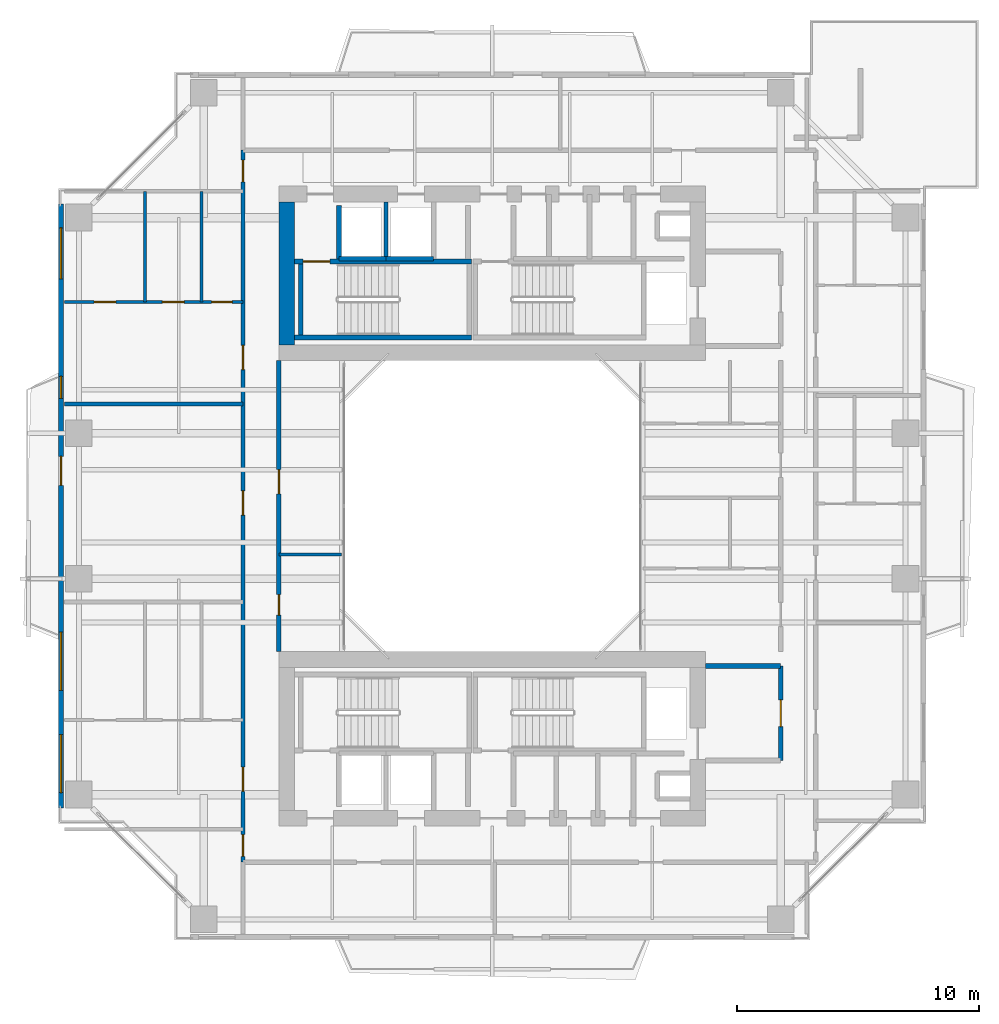
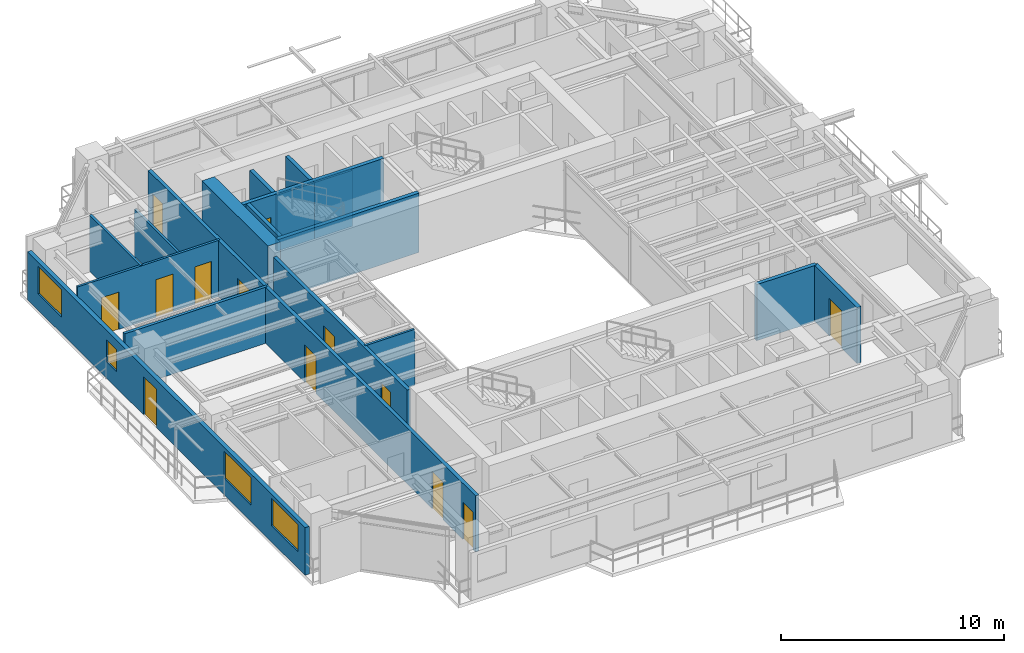
# One storey, part 11 of 17: 18 walls, 13 doors, 4 windows, 17 openings.
"""IFC4 building model written with IfcOpenShell, lengths in metres."""

from ifc_helpers import new_model, si_unit, direction, frame, frame_2d, origin, place, context, subcontext, project, spatial, rectangle, extrude, source, transform, mapped, material, layer, layer_set, type_object, element, fill, save


model = new_model("IFC4")

# Units and contexts
model_context = context("Model", 3, precision=1e-05, world=origin(), true_north=direction((0.0, 1.0)))
body_context = subcontext(model_context, "Body", "Model", "MODEL_VIEW")
ifc_project = project(units=[si_unit("LENGTHUNIT", "METRE"), si_unit("AREAUNIT", "SQUARE_METRE"), si_unit("VOLUMEUNIT", "CUBIC_METRE"), si_unit("PLANEANGLEUNIT", "RADIAN"), si_unit("MASSUNIT", "GRAM", prefix="KILO"), si_unit("THERMODYNAMICTEMPERATUREUNIT", "KELVIN"), si_unit("POWERUNIT", "WATT")], contexts=[model_context])

# Site, building, storey
site_placement = place(None, origin())
site = spatial("IfcSite", under=ifc_project, at=site_placement, CompositionType="ELEMENT")
building_placement = place(site_placement, origin())
building = spatial("IfcBuilding", under=site, at=building_placement, Name="Qiaomeng Ring Towers", CompositionType="ELEMENT")
storey_placement = place(building_placement, frame((0.0, 0.0, 123.0)))
storey = spatial("IfcBuildingStorey", under=building, at=storey_placement, Name="L35", CompositionType="ELEMENT", Elevation=123.0)

# Wall, openings, windows, door
ifc_material_1 = material(Name="Precast concrete C40", Category="concrete")
ifc_layer_1 = layer(ifc_material_1, 0.219970703125, Name="Precast concrete C40")
ifc_layer_set_1 = layer_set([ifc_layer_1], Name="Precast concrete C40")
wall_type_1 = type_object("IfcWallType", Name="ARC-WL-EW2", PredefinedType="STANDARD", material=ifc_layer_set_1)
wall_1_placement = place(storey_placement, frame((1.2099609375, 10.550048828125, 0.0), z_axis=(0.0, 0.0, 1.0), x_axis=(0.0, 1.0, 0.0)))
wall_1 = element("IfcWall", 1, at=wall_1_placement, inside=storey, type_object=wall_type_1, Name="L35 Tower 1 W Exterior Wall", PredefinedType="STANDARD", context=body_context, shape_type="SweptSolid", body=[
    extrude(rectangle(XDim=24.89990234375, YDim=0.219970703125, at=frame_2d((12.449951171875, 0.0))), origin(), (0.0, 0.0, 1.0), 2.610107421875),
])
opening_1_placement = place(wall_1_placement, frame((13.300048828125, 0.0, 0.0)))
opening_1 = element("IfcOpeningElement", 2, at=opening_1_placement, cuts=wall_1, Name="Opening BD1", PredefinedType="OPENING", context=body_context, shape_type="SweptSolid", body=[
    extrude(rectangle(XDim=1.199951171875, YDim=2.10009765625, at=frame_2d((0.60009765625, 1.050048828125))), frame((0.0, 0.119873046875, 0.0), z_axis=(0.0, -1.0, 0.0), x_axis=(1.0, 0.0, 0.0)), (0.0, 0.0, 1.0), 0.239990234375),
])
opening_2_placement = place(wall_1_placement, frame((0.625, 0.0, 0.89990234375)))
opening_2 = element("IfcOpeningElement", 3, at=opening_2_placement, cuts=wall_1, Name="Opening WN6", PredefinedType="OPENING", context=body_context, shape_type="SweptSolid", body=[
    extrude(rectangle(XDim=2.39990234375, YDim=1.5, at=frame_2d((1.199951171875, 0.75))), frame((0.0, 0.119873046875, 0.0), z_axis=(0.0, -1.0, 0.0), x_axis=(1.0, 0.0, 0.0)), (0.0, 0.0, 1.0), 0.239990234375),
])
opening_3_placement = place(wall_1_placement, frame((21.820068359375, 0.0, 0.89990234375)))
opening_3 = element("IfcOpeningElement", 4, at=opening_3_placement, cuts=wall_1, Name="Opening WN4", PredefinedType="OPENING", context=body_context, shape_type="SweptSolid", body=[
    extrude(rectangle(XDim=2.10009765625, YDim=1.5, at=frame_2d((1.050048828125, 0.75))), frame((0.0, 0.119873046875, 0.0), z_axis=(0.0, -1.0, 0.0), x_axis=(1.0, 0.0, 0.0)), (0.0, 0.0, 1.0), 0.239990234375),
])
opening_4_placement = place(wall_1_placement, frame((4.847412109375, 0.0, 0.89990234375)))
opening_4 = element("IfcOpeningElement", 5, at=opening_4_placement, cuts=wall_1, Name="Opening WN6", PredefinedType="OPENING", context=body_context, shape_type="SweptSolid", body=[
    extrude(rectangle(XDim=2.39990234375, YDim=1.5, at=frame_2d((1.199951171875, 0.75))), frame((0.0, 0.119873046875, 0.0), z_axis=(0.0, -1.0, 0.0), x_axis=(1.0, 0.0, 0.0)), (0.0, 0.0, 1.0), 0.239990234375),
])
opening_5_placement = place(wall_1_placement, frame((16.89501953125, 0.0, 0.89990234375)))
opening_5 = element("IfcOpeningElement", 6, at=opening_5_placement, cuts=wall_1, Name="Opening WN5", PredefinedType="OPENING", context=body_context, shape_type="SweptSolid", body=[
    extrude(rectangle(XDim=0.89990234375, YDim=1.199951171875, at=frame_2d((0.449951171875, 0.60009765625))), frame((0.0, 0.119873046875, 0.0), z_axis=(0.0, -1.0, 0.0), x_axis=(1.0, 0.0, 0.0)), (0.0, 0.0, 1.0), 0.239990234375),
])
ifc_material_2 = material(Name="Low-E dark-grey laminated double glazing", Category="glass")
window_type_1 = type_object("IfcWindowType", Name="ARC-WN-4", PartitioningType="TRIPLE_PANEL_VERTICAL", PredefinedType="WINDOW", material=ifc_material_2)
shared_shape_1 = source(origin(), body_context, "Body", "SweptSolid", [
    extrude(rectangle(XDim=2.10009765625, YDim=1.5, at=frame_2d((1.050048828125, 0.75))), frame((0.0, 0.030029296875, 0.0), z_axis=(0.0, -1.0, 0.0), x_axis=(1.0, 0.0, 0.0)), (0.0, 0.0, 1.0), 0.06005859375),
])
window_1_placement = place(opening_3_placement, origin())
window_1 = element("IfcWindow", 7, at=window_1_placement, inside=storey, type_object=window_type_1, Name="L35 Exterior Window WN4", OverallHeight=1.5, OverallWidth=2.10009765625, PartitioningType="TRIPLE_PANEL_VERTICAL", PredefinedType="WINDOW", context=body_context, shape_type="MappedRepresentation", body=[
    mapped(shared_shape_1, transform((0.0, 0.0, 0.0), x_axis=(1.0, 0.0, 0.0), y_axis=(0.0, 1.0, 0.0), z_axis=(0.0, 0.0, 1.0), scale=1.0)),
])
fill(opening_3, window_1)
door_type_1 = type_object("IfcDoorType", Name="ARC-DR-BD1", OperationType="NOTDEFINED", PredefinedType="DOOR", material=ifc_material_2)
shared_shape_2 = source(origin(), body_context, "Body", "SweptSolid", [
    extrude(rectangle(XDim=1.199951171875, YDim=2.10009765625, at=frame_2d((0.60009765625, 1.050048828125))), frame((0.0, 0.02490234375, 0.0), z_axis=(0.0, -1.0, 0.0), x_axis=(1.0, 0.0, 0.0)), (0.0, 0.0, 1.0), 0.050048828125),
])
door_1_placement = place(opening_1_placement, frame((1.199951171875, 0.0, 0.0), z_axis=(0.0, 0.0, 1.0), x_axis=(-1.0, 0.0, 0.0)))
door_1 = element("IfcDoor", 8, at=door_1_placement, inside=storey, type_object=door_type_1, Name="L35 W Balcony Glazed Door", OperationType="SINGLE_SWING_LEFT", OverallHeight=2.10009765625, OverallWidth=1.199951171875, PredefinedType="DOOR", context=body_context, shape_type="MappedRepresentation", body=[
    mapped(shared_shape_2, transform((0.0, 0.0, 0.0), x_axis=(1.0, 0.0, 0.0), y_axis=(0.0, 1.0, 0.0), z_axis=(0.0, 0.0, 1.0), scale=1.0)),
])
fill(opening_1, door_1)
window_type_2 = type_object("IfcWindowType", Name="ARC-WN-6", PartitioningType="TRIPLE_PANEL_VERTICAL", PredefinedType="WINDOW", material=ifc_material_2)
shared_shape_3 = source(origin(), body_context, "Body", "SweptSolid", [
    extrude(rectangle(XDim=2.39990234375, YDim=1.5, at=frame_2d((1.199951171875, 0.75))), frame((0.0, 0.030029296875, 0.0), z_axis=(0.0, -1.0, 0.0), x_axis=(1.0, 0.0, 0.0)), (0.0, 0.0, 1.0), 0.06005859375),
])
window_2_placement = place(opening_2_placement, origin())
window_2 = element("IfcWindow", 9, at=window_2_placement, inside=storey, type_object=window_type_2, Name="L35 Exterior Window WN6", OverallHeight=1.5, OverallWidth=2.39990234375, PartitioningType="TRIPLE_PANEL_VERTICAL", PredefinedType="WINDOW", context=body_context, shape_type="MappedRepresentation", body=[
    mapped(shared_shape_3, transform((0.0, 0.0, 0.0), x_axis=(1.0, 0.0, 0.0), y_axis=(0.0, 1.0, 0.0), z_axis=(0.0, 0.0, 1.0), scale=1.0)),
])
fill(opening_2, window_2)
window_3_placement = place(opening_4_placement, origin())
window_3 = element("IfcWindow", 10, at=window_3_placement, inside=storey, type_object=window_type_2, Name="L35 Exterior Window WN6", OverallHeight=1.5, OverallWidth=2.39990234375, PartitioningType="TRIPLE_PANEL_VERTICAL", PredefinedType="WINDOW", context=body_context, shape_type="MappedRepresentation", body=[
    mapped(shared_shape_3, transform((0.0, 0.0, 0.0), x_axis=(1.0, 0.0, 0.0), y_axis=(0.0, 1.0, 0.0), z_axis=(0.0, 0.0, 1.0), scale=1.0)),
])
fill(opening_4, window_3)
window_type_3 = type_object("IfcWindowType", Name="ARC-WN-5", PartitioningType="SINGLE_PANEL", PredefinedType="WINDOW", material=ifc_material_2)
shared_shape_4 = source(origin(), body_context, "Body", "SweptSolid", [
    extrude(rectangle(XDim=0.89990234375, YDim=1.199951171875, at=frame_2d((0.449951171875, 0.60009765625))), frame((0.0, 0.030029296875, 0.0), z_axis=(0.0, -1.0, 0.0), x_axis=(1.0, 0.0, 0.0)), (0.0, 0.0, 1.0), 0.06005859375),
])
window_4_placement = place(opening_5_placement, origin())
window_4 = element("IfcWindow", 11, at=window_4_placement, inside=storey, type_object=window_type_3, Name="L35 Exterior Window WN5", OverallHeight=1.199951171875, OverallWidth=0.89990234375, PartitioningType="SINGLE_PANEL", PredefinedType="WINDOW", context=body_context, shape_type="MappedRepresentation", body=[
    mapped(shared_shape_4, transform((0.0, 0.0, 0.0), x_axis=(1.0, 0.0, 0.0), y_axis=(0.0, 1.0, 0.0), z_axis=(0.0, 0.0, 1.0), scale=1.0)),
])
fill(opening_5, window_4)

# Wall
ifc_material_3 = material(Name="Autoclaved aerated concrete block", Category="concrete")
ifc_layer_2 = layer(ifc_material_3, 0.199951171875, Name="Autoclaved aerated concrete block")
ifc_layer_set_2 = layer_set([ifc_layer_2], Name="Autoclaved aerated concrete block")
wall_type_2 = type_object("IfcWallType", Name="ARC-WL-PW1", PredefinedType="PARTITIONING", material=ifc_layer_set_2)
wall_2_placement = place(storey_placement, frame((27.800048828125, 16.39990234375, 0.0), z_axis=(0.0, 0.0, 1.0), x_axis=(1.0, 0.0, 0.0)))
element("IfcWall", 12, at=wall_2_placement, inside=storey, type_object=wall_type_2, Name="L35 Interior Wall PW1", PredefinedType="PARTITIONING", context=body_context, shape_type="SweptSolid", body=[
    extrude(rectangle(XDim=3.099853515625, YDim=0.199951171875, at=frame_2d((1.5498046875, 0.0))), origin(), (0.0, 0.0, 1.0), 3.070068359375),
])

# Wall, opening, door
wall_3_placement = place(storey_placement, frame((30.89990234375, 12.5, 0.0), z_axis=(0.0, 0.0, 1.0), x_axis=(0.0, 1.0, 0.0)))
wall_3 = element("IfcWall", 13, at=wall_3_placement, inside=storey, type_object=wall_type_2, Name="L35 Interior Wall PW1", PredefinedType="PARTITIONING", context=body_context, shape_type="SweptSolid", body=[
    extrude(rectangle(XDim=3.89990234375, YDim=0.199951171875, at=frame_2d((1.949951171875, 0.0))), origin(), (0.0, 0.0, 1.0), 3.070068359375),
])
opening_6_placement = place(wall_3_placement, frame((1.39990234375, 0.0, 0.0)))
opening_6 = element("IfcOpeningElement", 14, at=opening_6_placement, cuts=wall_3, Name="Opening FD3", PredefinedType="OPENING", context=body_context, shape_type="SweptSolid", body=[
    extrude(rectangle(XDim=1.10009765625, YDim=2.050048828125, at=frame_2d((0.550048828125, 1.02490234375))), frame((0.0, 0.10986328125, 0.0), z_axis=(0.0, -1.0, 0.0), x_axis=(1.0, 0.0, 0.0)), (0.0, 0.0, 1.0), 0.219970703125),
])
ifc_material_4 = material(Name="Galvanised steel", Category="steel")
door_type_2 = type_object("IfcDoorType", Name="ARC-DR-FD3", OperationType="NOTDEFINED", PredefinedType="DOOR", material=ifc_material_4)
shared_shape_5 = source(origin(), body_context, "Body", "SweptSolid", [
    extrude(rectangle(XDim=1.10009765625, YDim=2.050048828125, at=frame_2d((0.550048828125, 1.02490234375))), frame((0.0, 0.02490234375, 0.0), z_axis=(0.0, -1.0, 0.0), x_axis=(1.0, 0.0, 0.0)), (0.0, 0.0, 1.0), 0.050048828125),
])
door_2_placement = place(opening_6_placement, origin())
door_2 = element("IfcDoor", 15, at=door_2_placement, inside=storey, type_object=door_type_2, Name="L35 South FF Lobby Door", OperationType="SINGLE_SWING_LEFT", OverallHeight=2.050048828125, OverallWidth=1.10009765625, PredefinedType="DOOR", context=body_context, shape_type="MappedRepresentation", body=[
    mapped(shared_shape_5, transform((0.0, 0.0, 0.0), x_axis=(1.0, 0.0, 0.0), y_axis=(0.0, 1.0, 0.0), z_axis=(0.0, 0.0, 1.0), scale=1.0)),
])
fill(opening_6, door_2)

# Wall
wall_4_placement = place(storey_placement, frame((12.679931640625, 33.18994140625, 0.0), z_axis=(0.0, 0.0, 1.0), x_axis=(0.0, 1.0, 0.0)))
element("IfcWall", 16, at=wall_4_placement, inside=storey, type_object=wall_type_2, Name="L35 Interior Wall PW1", PredefinedType="PARTITIONING", context=body_context, shape_type="SweptSolid", body=[
    extrude(rectangle(XDim=2.2099609375, YDim=0.199951171875, at=frame_2d((1.10498046875, 0.0))), origin(), (0.0, 0.0, 1.0), 3.070068359375),
])

# Wall, openings, doors
ifc_layer_3 = layer(ifc_material_3, 0.179931640625, Name="Autoclaved aerated concrete block")
ifc_layer_set_3 = layer_set([ifc_layer_3], Name="Autoclaved aerated concrete block")
wall_type_3 = type_object("IfcWallType", Name="ARC-WL-PW2", PredefinedType="PARTITIONING", material=ifc_layer_set_3)
wall_5_placement = place(storey_placement, frame((8.719970703125, 8.31005859375, 0.0), z_axis=(0.0, 0.0, 1.0), x_axis=(0.0, 1.0, 0.0)))
wall_5 = element("IfcWall", 17, at=wall_5_placement, inside=storey, type_object=wall_type_3, Name="L35 Interior Wall PW2", PredefinedType="PARTITIONING", context=body_context, shape_type="SweptSolid", body=[
    extrude(rectangle(XDim=29.369873046875, YDim=0.179931640625, at=frame_2d((14.68505859375, 0.0))), origin(), (0.0, 0.0, 1.0), 3.070068359375),
])
opening_7_placement = place(wall_5_placement, frame((28.06005859375, 0.0, 0.0)))
opening_7 = element("IfcOpeningElement", 18, at=opening_7_placement, cuts=wall_5, Name="Opening ID1", PredefinedType="OPENING", context=body_context, shape_type="SweptSolid", body=[
    extrude(rectangle(XDim=0.89990234375, YDim=2.050048828125, at=frame_2d((0.449951171875, 1.02490234375))), frame((0.0, 0.099853515625, 0.0), z_axis=(0.0, -1.0, 0.0), x_axis=(1.0, 0.0, 0.0)), (0.0, 0.0, 1.0), 0.199951171875),
])
opening_8_placement = place(wall_5_placement, frame((0.239990234375, 0.0, 0.0)))
opening_8 = element("IfcOpeningElement", 19, at=opening_8_placement, cuts=wall_5, Name="Opening ID1", PredefinedType="OPENING", context=body_context, shape_type="SweptSolid", body=[
    extrude(rectangle(XDim=0.89990234375, YDim=2.050048828125, at=frame_2d((0.449951171875, 1.02490234375))), frame((0.0, 0.099853515625, 0.0), z_axis=(0.0, -1.0, 0.0), x_axis=(1.0, 0.0, 0.0)), (0.0, 0.0, 1.0), 0.199951171875),
])
opening_9_placement = place(wall_5_placement, frame((2.919921875, 0.0, 0.0)))
opening_9 = element("IfcOpeningElement", 20, at=opening_9_placement, cuts=wall_5, Name="Opening FD4", PredefinedType="OPENING", context=body_context, shape_type="SweptSolid", body=[
    extrude(rectangle(XDim=1.0, YDim=2.050048828125, at=frame_2d((0.5, 1.02490234375))), frame((0.0, 0.099853515625, 0.0), z_axis=(0.0, -1.0, 0.0), x_axis=(1.0, 0.0, 0.0)), (0.0, 0.0, 1.0), 0.199951171875),
])
opening_10_placement = place(wall_5_placement, frame((14.31494140625, 0.0, 0.0)))
opening_10 = element("IfcOpeningElement", 21, at=opening_10_placement, cuts=wall_5, Name="Opening FD4", PredefinedType="OPENING", context=body_context, shape_type="SweptSolid", body=[
    extrude(rectangle(XDim=1.0, YDim=2.050048828125, at=frame_2d((0.5, 1.02490234375))), frame((0.0, 0.099853515625, 0.0), z_axis=(0.0, -1.0, 0.0), x_axis=(1.0, 0.0, 0.0)), (0.0, 0.0, 1.0), 0.199951171875),
])
opening_11_placement = place(wall_5_placement, frame((20.31494140625, 0.0, 0.0)))
opening_11 = element("IfcOpeningElement", 22, at=opening_11_placement, cuts=wall_5, Name="Opening FD4", PredefinedType="OPENING", context=body_context, shape_type="SweptSolid", body=[
    extrude(rectangle(XDim=1.0, YDim=2.050048828125, at=frame_2d((0.5, 1.02490234375))), frame((0.0, 0.099853515625, 0.0), z_axis=(0.0, -1.0, 0.0), x_axis=(1.0, 0.0, 0.0)), (0.0, 0.0, 1.0), 0.199951171875),
])
ifc_material_5 = material(Name="Engineered fire-rated oak timber", Category="wood")
door_type_3 = type_object("IfcDoorType", Name="ARC-DR-FD4", OperationType="NOTDEFINED", PredefinedType="DOOR", material=ifc_material_5)
shared_shape_6 = source(origin(), body_context, "Body", "SweptSolid", [
    extrude(rectangle(XDim=1.0, YDim=2.050048828125, at=frame_2d((0.5, 1.02490234375))), frame((0.0, 0.02490234375, 0.0), z_axis=(0.0, -1.0, 0.0), x_axis=(1.0, 0.0, 0.0)), (0.0, 0.0, 1.0), 0.050048828125),
])
door_3_placement = place(opening_9_placement, origin())
door_3 = element("IfcDoor", 23, at=door_3_placement, inside=storey, type_object=door_type_3, Name="L35 Door FD4", OperationType="SINGLE_SWING_LEFT", OverallHeight=2.050048828125, OverallWidth=1.0, PredefinedType="DOOR", context=body_context, shape_type="MappedRepresentation", body=[
    mapped(shared_shape_6, transform((0.0, 0.0, 0.0), x_axis=(1.0, 0.0, 0.0), y_axis=(0.0, 1.0, 0.0), z_axis=(0.0, 0.0, 1.0), scale=1.0)),
])
fill(opening_9, door_3)
door_4_placement = place(opening_10_placement, origin())
door_4 = element("IfcDoor", 24, at=door_4_placement, inside=storey, type_object=door_type_3, Name="L35 Door FD4", OperationType="SINGLE_SWING_RIGHT", OverallHeight=2.050048828125, OverallWidth=1.0, PredefinedType="DOOR", context=body_context, shape_type="MappedRepresentation", body=[
    mapped(shared_shape_6, transform((0.0, 0.0, 0.0), x_axis=(1.0, 0.0, 0.0), y_axis=(0.0, 1.0, 0.0), z_axis=(0.0, 0.0, 1.0), scale=1.0)),
])
fill(opening_10, door_4)
door_5_placement = place(opening_11_placement, origin())
door_5 = element("IfcDoor", 25, at=door_5_placement, inside=storey, type_object=door_type_3, Name="L35 Door FD4", OperationType="SINGLE_SWING_RIGHT", OverallHeight=2.050048828125, OverallWidth=1.0, PredefinedType="DOOR", context=body_context, shape_type="MappedRepresentation", body=[
    mapped(shared_shape_6, transform((0.0, 0.0, 0.0), x_axis=(1.0, 0.0, 0.0), y_axis=(0.0, 1.0, 0.0), z_axis=(0.0, 0.0, 1.0), scale=1.0)),
])
fill(opening_11, door_5)
ifc_material_6 = material(Name="Engineered oak timber", Category="wood")
door_type_4 = type_object("IfcDoorType", Name="ARC-DR-ID1", OperationType="NOTDEFINED", PredefinedType="DOOR", material=ifc_material_6)
shared_shape_7 = source(origin(), body_context, "Body", "SweptSolid", [
    extrude(rectangle(XDim=0.89990234375, YDim=2.050048828125, at=frame_2d((0.449951171875, 1.02490234375))), frame((0.0, 0.02490234375, 0.0), z_axis=(0.0, -1.0, 0.0), x_axis=(1.0, 0.0, 0.0)), (0.0, 0.0, 1.0), 0.050048828125),
])
door_6_placement = place(opening_7_placement, origin())
door_6 = element("IfcDoor", 26, at=door_6_placement, inside=storey, type_object=door_type_4, Name="L35 Door ID1", OperationType="SINGLE_SWING_RIGHT", OverallHeight=2.050048828125, OverallWidth=0.89990234375, PredefinedType="DOOR", context=body_context, shape_type="MappedRepresentation", body=[
    mapped(shared_shape_7, transform((0.0, 0.0, 0.0), x_axis=(1.0, 0.0, 0.0), y_axis=(0.0, 1.0, 0.0), z_axis=(0.0, 0.0, 1.0), scale=1.0)),
])
fill(opening_7, door_6)
door_7_placement = place(opening_8_placement, origin())
door_7 = element("IfcDoor", 27, at=door_7_placement, inside=storey, type_object=door_type_4, Name="L35 Door ID1", OperationType="SINGLE_SWING_LEFT", OverallHeight=2.050048828125, OverallWidth=0.89990234375, PredefinedType="DOOR", context=body_context, shape_type="MappedRepresentation", body=[
    mapped(shared_shape_7, transform((0.0, 0.0, 0.0), x_axis=(1.0, 0.0, 0.0), y_axis=(0.0, 1.0, 0.0), z_axis=(0.0, 0.0, 1.0), scale=1.0)),
])
fill(opening_8, door_7)

wall_6_placement = place(storey_placement, frame((10.199951171875, 17.0, 0.0), z_axis=(0.0, 0.0, 1.0), x_axis=(0.0, 1.0, 0.0)))
wall_6 = element("IfcWall", 28, at=wall_6_placement, inside=storey, type_object=wall_type_3, Name="L35 Interior Wall PW2", PredefinedType="PARTITIONING", context=body_context, shape_type="SweptSolid", body=[
    extrude(rectangle(XDim=12.0, YDim=0.179931640625, at=frame_2d((6.0, 0.0))), origin(), (0.0, 0.0, 1.0), 3.070068359375),
])
opening_12_placement = place(wall_6_placement, frame((1.5, 0.0, 0.0)))
opening_12 = element("IfcOpeningElement", 29, at=opening_12_placement, cuts=wall_6, Name="Opening ID2", PredefinedType="OPENING", context=body_context, shape_type="SweptSolid", body=[
    extrude(rectangle(XDim=0.85009765625, YDim=2.050048828125, at=frame_2d((0.425048828125, 1.02490234375))), frame((0.0, 0.099853515625, 0.0), z_axis=(0.0, -1.0, 0.0), x_axis=(1.0, 0.0, 0.0)), (0.0, 0.0, 1.0), 0.199951171875),
])
opening_13_placement = place(wall_6_placement, frame((6.5, 0.0, 0.0)))
opening_13 = element("IfcOpeningElement", 30, at=opening_13_placement, cuts=wall_6, Name="Opening FD4", PredefinedType="OPENING", context=body_context, shape_type="SweptSolid", body=[
    extrude(rectangle(XDim=1.0, YDim=2.050048828125, at=frame_2d((0.5, 1.02490234375))), frame((0.0, 0.099853515625, 0.0), z_axis=(0.0, -1.0, 0.0), x_axis=(1.0, 0.0, 0.0)), (0.0, 0.0, 1.0), 0.199951171875),
])
door_8_placement = place(opening_13_placement, origin())
door_8 = element("IfcDoor", 31, at=door_8_placement, inside=storey, type_object=door_type_3, Name="L35 Door FD4", OperationType="SINGLE_SWING_RIGHT", OverallHeight=2.050048828125, OverallWidth=1.0, PredefinedType="DOOR", context=body_context, shape_type="MappedRepresentation", body=[
    mapped(shared_shape_6, transform((0.0, 0.0, 0.0), x_axis=(1.0, 0.0, 0.0), y_axis=(0.0, 1.0, 0.0), z_axis=(0.0, 0.0, 1.0), scale=1.0)),
])
fill(opening_13, door_8)
ifc_material_7 = material(Name="Moisture-resistant engineered timber", Category="wood")
door_type_5 = type_object("IfcDoorType", Name="ARC-DR-ID2", OperationType="NOTDEFINED", PredefinedType="DOOR", material=ifc_material_7)
shared_shape_8 = source(origin(), body_context, "Body", "SweptSolid", [
    extrude(rectangle(XDim=0.85009765625, YDim=2.050048828125, at=frame_2d((0.425048828125, 1.02490234375))), frame((0.0, 0.02490234375, 0.0), z_axis=(0.0, -1.0, 0.0), x_axis=(1.0, 0.0, 0.0)), (0.0, 0.0, 1.0), 0.050048828125),
])
door_9_placement = place(opening_12_placement, origin())
door_9 = element("IfcDoor", 32, at=door_9_placement, inside=storey, type_object=door_type_5, Name="L35 Door ID2", OperationType="SINGLE_SWING_LEFT", OverallHeight=2.050048828125, OverallWidth=0.85009765625, PredefinedType="DOOR", context=body_context, shape_type="MappedRepresentation", body=[
    mapped(shared_shape_8, transform((0.0, 0.0, 0.0), x_axis=(1.0, 0.0, 0.0), y_axis=(0.0, 1.0, 0.0), z_axis=(0.0, 0.0, 1.0), scale=1.0)),
])
fill(opening_12, door_9)

# Wall
ifc_material_8 = material(Name="Gypsum fireboard steel-stud partition", Category="steel")
ifc_layer_4 = layer(ifc_material_8, 0.14990234375, Name="Gypsum fireboard steel-stud partition")
ifc_layer_set_4 = layer_set([ifc_layer_4], Name="Gypsum fireboard steel-stud partition")
wall_type_4 = type_object("IfcWallType", Name="ARC-WL-PW3", PredefinedType="PARTITIONING", material=ifc_layer_set_4)
wall_7_placement = place(storey_placement, frame((1.35009765625, 27.2099609375, 0.0), z_axis=(0.0, 0.0, 1.0), x_axis=(1.0, 0.0, 0.0)))
element("IfcWall", 33, at=wall_7_placement, inside=storey, type_object=wall_type_4, Name="L35 Interior Wall PW3", PredefinedType="PARTITIONING", context=body_context, shape_type="SweptSolid", body=[
    extrude(rectangle(XDim=7.369873046875, YDim=0.14990234375, at=frame_2d((3.68505859375, 0.0))), origin(), (0.0, 0.0, 1.0), 3.070068359375),
])

# Wall, openings, doors
ifc_material_9 = material(Name="Moisture-resistant gypsum steel-stud partition", Category="steel")
ifc_layer_5 = layer(ifc_material_9, 0.1201171875, Name="Moisture-resistant gypsum steel-stud partition")
ifc_layer_set_5 = layer_set([ifc_layer_5], Name="Moisture-resistant gypsum steel-stud partition")
wall_type_5 = type_object("IfcWallType", Name="ARC-WL-PW4", PredefinedType="PLUMBINGWALL", material=ifc_layer_set_5)
wall_8_placement = place(storey_placement, frame((1.35009765625, 31.419921875, 0.0), z_axis=(0.0, 0.0, 1.0), x_axis=(1.0, 0.0, 0.0)))
wall_8 = element("IfcWall", 34, at=wall_8_placement, inside=storey, type_object=wall_type_5, Name="L35 Interior Wall PW4", PredefinedType="PLUMBINGWALL", context=body_context, shape_type="SweptSolid", body=[
    extrude(rectangle(XDim=7.369873046875, YDim=0.1201171875, at=frame_2d((3.68505859375, 0.0))), origin(), (0.0, 0.0, 1.0), 3.070068359375),
])
opening_14_placement = place(wall_8_placement, frame((1.22509765625, 0.0, 0.0)))
opening_14 = element("IfcOpeningElement", 35, at=opening_14_placement, cuts=wall_8, Name="Opening ID1", PredefinedType="OPENING", context=body_context, shape_type="SweptSolid", body=[
    extrude(rectangle(XDim=0.89990234375, YDim=2.050048828125, at=frame_2d((0.449951171875, 1.02490234375))), frame((0.0, 0.070068359375, 0.0), z_axis=(0.0, -1.0, 0.0), x_axis=(1.0, 0.0, 0.0)), (0.0, 0.0, 1.0), 0.14013671875),
])
opening_15_placement = place(wall_8_placement, frame((4.0400390625, 0.0, 0.0)))
opening_15 = element("IfcOpeningElement", 36, at=opening_15_placement, cuts=wall_8, Name="Opening ID1", PredefinedType="OPENING", context=body_context, shape_type="SweptSolid", body=[
    extrude(rectangle(XDim=0.89990234375, YDim=2.050048828125, at=frame_2d((0.449951171875, 1.02490234375))), frame((0.0, 0.070068359375, 0.0), z_axis=(0.0, -1.0, 0.0), x_axis=(1.0, 0.0, 0.0)), (0.0, 0.0, 1.0), 0.14013671875),
])
opening_16_placement = place(wall_8_placement, frame((6.074951171875, 0.0, 0.0)))
opening_16 = element("IfcOpeningElement", 37, at=opening_16_placement, cuts=wall_8, Name="Opening ID2", PredefinedType="OPENING", context=body_context, shape_type="SweptSolid", body=[
    extrude(rectangle(XDim=0.85009765625, YDim=2.050048828125, at=frame_2d((0.425048828125, 1.02490234375))), frame((0.0, 0.070068359375, 0.0), z_axis=(0.0, -1.0, 0.0), x_axis=(1.0, 0.0, 0.0)), (0.0, 0.0, 1.0), 0.14013671875),
])
door_10_placement = place(opening_16_placement, origin())
door_10 = element("IfcDoor", 38, at=door_10_placement, inside=storey, type_object=door_type_5, Name="L35 Door ID2", OperationType="SINGLE_SWING_LEFT", OverallHeight=2.050048828125, OverallWidth=0.85009765625, PredefinedType="DOOR", context=body_context, shape_type="MappedRepresentation", body=[
    mapped(shared_shape_8, transform((0.0, 0.0, 0.0), x_axis=(1.0, 0.0, 0.0), y_axis=(0.0, 1.0, 0.0), z_axis=(0.0, 0.0, 1.0), scale=1.0)),
])
fill(opening_16, door_10)
door_11_placement = place(opening_14_placement, origin())
door_11 = element("IfcDoor", 39, at=door_11_placement, inside=storey, type_object=door_type_4, Name="L35 Door ID1", OperationType="SINGLE_SWING_LEFT", OverallHeight=2.050048828125, OverallWidth=0.89990234375, PredefinedType="DOOR", context=body_context, shape_type="MappedRepresentation", body=[
    mapped(shared_shape_7, transform((0.0, 0.0, 0.0), x_axis=(1.0, 0.0, 0.0), y_axis=(0.0, 1.0, 0.0), z_axis=(0.0, 0.0, 1.0), scale=1.0)),
])
fill(opening_14, door_11)
door_12_placement = place(opening_15_placement, origin())
door_12 = element("IfcDoor", 40, at=door_12_placement, inside=storey, type_object=door_type_4, Name="L35 Door ID1", OperationType="SINGLE_SWING_RIGHT", OverallHeight=2.050048828125, OverallWidth=0.89990234375, PredefinedType="DOOR", context=body_context, shape_type="MappedRepresentation", body=[
    mapped(shared_shape_7, transform((0.0, 0.0, 0.0), x_axis=(1.0, 0.0, 0.0), y_axis=(0.0, 1.0, 0.0), z_axis=(0.0, 0.0, 1.0), scale=1.0)),
])
fill(opening_15, door_12)

# Walls
wall_9_placement = place(storey_placement, frame((4.679931640625, 31.419921875, 0.0), z_axis=(0.0, 0.0, 1.0), x_axis=(0.0, 1.0, 0.0)))
element("IfcWall", 41, at=wall_9_placement, inside=storey, type_object=wall_type_5, Name="L35 Interior Wall PW4", PredefinedType="PLUMBINGWALL", context=body_context, shape_type="SweptSolid", body=[
    extrude(rectangle(XDim=4.56005859375, YDim=0.1201171875, at=frame_2d((2.280029296875, 0.0))), origin(), (0.0, 0.0, 1.0), 3.070068359375),
])
wall_10_placement = place(storey_placement, frame((7.0, 31.419921875, 0.0), z_axis=(0.0, 0.0, 1.0), x_axis=(0.0, 1.0, 0.0)))
element("IfcWall", 42, at=wall_10_placement, inside=storey, type_object=wall_type_5, Name="L35 Interior Wall PW4", PredefinedType="PLUMBINGWALL", context=body_context, shape_type="SweptSolid", body=[
    extrude(rectangle(XDim=4.56005859375, YDim=0.1201171875, at=frame_2d((2.280029296875, 0.0))), origin(), (0.0, 0.0, 1.0), 2.576904296875),
])
wall_11_placement = place(storey_placement, frame((10.199951171875, 21.0, 0.0), z_axis=(0.0, 0.0, 1.0), x_axis=(1.0, 0.0, 0.0)))
element("IfcWall", 43, at=wall_11_placement, inside=storey, type_object=wall_type_5, Name="L35 Interior Wall PW4", PredefinedType="PLUMBINGWALL", context=body_context, shape_type="SweptSolid", body=[
    extrude(rectangle(XDim=2.580078125, YDim=0.1201171875, at=frame_2d((1.2900390625, 0.0))), origin(), (0.0, 0.0, 1.0), 3.070068359375),
])
ifc_material_10 = material(Name="Concrete C40", Category="concrete")
ifc_layer_6 = layer(ifc_material_10, 0.199951171875, Name="Concrete C40")
ifc_layer_set_6 = layer_set([ifc_layer_6], Name="Concrete C40")
wall_type_6 = type_object("IfcWallType", Name="STR-WL-STSHAFT", PredefinedType="SHEAR", material=ifc_layer_set_6)
wall_12_placement = place(storey_placement, frame((12.679931640625, 33.199951171875, 0.0), z_axis=(0.0, 0.0, 1.0), x_axis=(1.0, 0.0, 0.0)))
element("IfcWall", 44, at=wall_12_placement, inside=storey, type_object=wall_type_6, Name="L35 Lift LP5 Shaft Back Wall", PredefinedType="SHEAR", context=body_context, shape_type="SweptSolid", body=[
    extrude(rectangle(XDim=1.940185546875, YDim=0.179931640625, at=frame_2d((0.97021484375, 0.0))), origin(), (0.0, 0.0, 1.0), 3.070068359375),
])
wall_13_placement = place(storey_placement, frame((14.6201171875, 33.199951171875, 0.0), z_axis=(0.0, 0.0, 1.0), x_axis=(0.0, 1.0, 0.0)))
element("IfcWall", 45, at=wall_13_placement, inside=storey, type_object=wall_type_6, Name="L35 Lift LP5-LP3 Shaft Divider Wall", PredefinedType="SHEAR", context=body_context, shape_type="SweptSolid", body=[
    extrude(rectangle(XDim=2.35009765625, YDim=0.179931640625, at=frame_2d((1.175048828125, 0.0))), origin(), (0.0, 0.0, 1.0), 3.070068359375),
])
wall_14_placement = place(storey_placement, frame((14.6201171875, 33.199951171875, 0.0), z_axis=(0.0, 0.0, 1.0), x_axis=(1.0, 0.0, 0.0)))
element("IfcWall", 46, at=wall_14_placement, inside=storey, type_object=wall_type_6, Name="L35 Lift LP3 Shaft Back Wall", PredefinedType="SHEAR", context=body_context, shape_type="SweptSolid", body=[
    extrude(rectangle(XDim=1.9599609375, YDim=0.179931640625, at=frame_2d((0.97998046875, 0.0))), origin(), (0.0, 0.0, 1.0), 3.070068359375),
])
wall_15_placement = place(storey_placement, frame((10.85009765625, 29.949951171875, 0.0), z_axis=(0.0, 0.0, 1.0), x_axis=(1.0, 0.0, 0.0)))
element("IfcWall", 47, at=wall_15_placement, inside=storey, type_object=wall_type_6, Name="L35 Stair ST1 South Shaft Shear Wall", PredefinedType="SHEAR", context=body_context, shape_type="SweptSolid", body=[
    extrude(rectangle(XDim=7.2998046875, YDim=0.199951171875, at=frame_2d((3.64990234375, 0.0))), origin(), (0.0, 0.0, 1.0), 3.25),
])

# Wall, opening, door
wall_16_placement = place(storey_placement, frame((10.85009765625, 33.090087890625, 0.0), z_axis=(0.0, 0.0, 1.0), x_axis=(1.0, 0.0, 0.0)))
wall_16 = element("IfcWall", 48, at=wall_16_placement, inside=storey, type_object=wall_type_6, Name="L35 Stair ST1 North Shaft Shear Wall", PredefinedType="SHEAR", context=body_context, shape_type="SweptSolid", body=[
    extrude(rectangle(XDim=7.2998046875, YDim=0.199951171875, at=frame_2d((3.64990234375, 0.0))), origin(), (0.0, 0.0, 1.0), 3.25),
])
opening_17_placement = place(wall_16_placement, frame((0.35009765625, 0.0, 0.0)))
opening_17 = element("IfcOpeningElement", 49, at=opening_17_placement, cuts=wall_16, Name="Opening FD3", PredefinedType="OPENING", context=body_context, shape_type="SweptSolid", body=[
    extrude(rectangle(XDim=1.10009765625, YDim=2.050048828125, at=frame_2d((0.550048828125, 1.02490234375))), frame((0.0, 0.10986328125, 0.0), z_axis=(0.0, -1.0, 0.0), x_axis=(1.0, 0.0, 0.0)), (0.0, 0.0, 1.0), 0.219970703125),
])
door_13_placement = place(opening_17_placement, origin())
door_13 = element("IfcDoor", 50, at=door_13_placement, inside=storey, type_object=door_type_2, Name="L35 Stair ST1 Exit Door", OperationType="SINGLE_SWING_LEFT", OverallHeight=2.050048828125, OverallWidth=1.10009765625, PredefinedType="DOOR", context=body_context, shape_type="MappedRepresentation", body=[
    mapped(shared_shape_5, transform((0.0, 0.0, 0.0), x_axis=(1.0, 0.0, 0.0), y_axis=(0.0, 1.0, 0.0), z_axis=(0.0, 0.0, 1.0), scale=1.0)),
])
fill(opening_17, door_13)

# Walls
wall_17_placement = place(storey_placement, frame((11.10009765625, 30.050048828125, 0.0), z_axis=(0.0, 0.0, 1.0), x_axis=(0.0, 1.0, 0.0)))
element("IfcWall", 51, at=wall_17_placement, inside=storey, type_object=wall_type_6, Name="L35 Stair ST1 West Shaft Shear Wall", PredefinedType="SHEAR", context=body_context, shape_type="SweptSolid", body=[
    extrude(rectangle(XDim=2.93994140625, YDim=0.199951171875, at=frame_2d((1.469970703125, 0.0))), origin(), (0.0, 0.0, 1.0), 3.25),
])
ifc_material_11 = material(Name="Concrete C55", Category="concrete")
ifc_layer_7 = layer(ifc_material_11, 0.64990234375, Name="Concrete C55")
ifc_layer_set_7 = layer_set([ifc_layer_7], Name="Concrete C55")
wall_type_7 = type_object("IfcWallType", Name="STR-WL-SW2A", PredefinedType="SHEAR", material=ifc_layer_set_7)
wall_18_placement = place(storey_placement, frame((10.52490234375, 29.64990234375, 0.0), z_axis=(0.0, 0.0, 1.0), x_axis=(0.0, 1.0, 0.0)))
element("IfcWall", 52, at=wall_18_placement, inside=storey, type_object=wall_type_7, Name="L35 T1NC west core shear wall", PredefinedType="SHEAR", context=body_context, shape_type="SweptSolid", body=[
    extrude(rectangle(XDim=5.900146484375, YDim=0.64990234375, at=frame_2d((2.9501953125, 0.0))), origin(), (0.0, 0.0, 1.0), 3.25),
])

save(model, "model.ifc")
